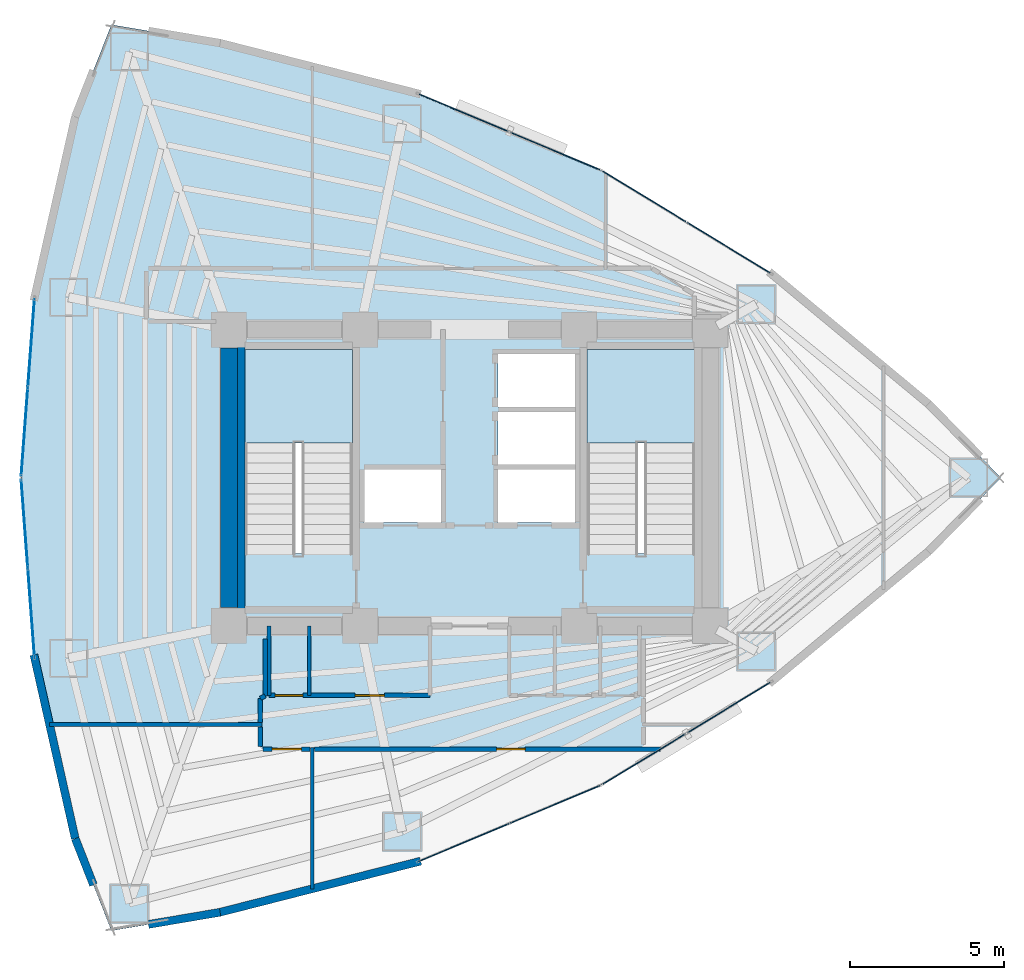
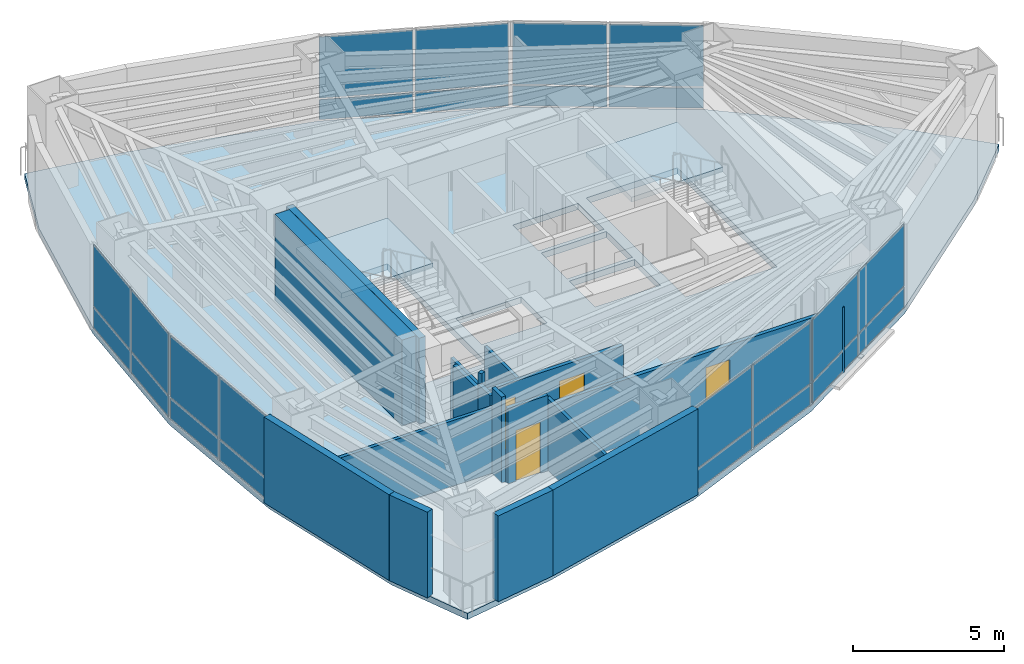
# One storey, part 14 of 18: 24 plates, 17 walls, 4 doors, 3 slabs, 4 openings, 8 elements without a shape of their own.
"""IFC4 building model written with IfcOpenShell, lengths in metres."""

from ifc_helpers import new_model, si_unit, direction, frame, frame_2d, origin, origin_2d, place, context, subcontext, project, spatial, polyline, rectangle, outline, extrude, material, layer, layer_set, type_object, element, fill, aggregate, save


model = new_model("IFC4")

# Units and contexts
model_context = context("Model", 3, precision=1e-05, world=origin(), true_north=direction((0.0, 1.0)))
body_context = subcontext(model_context, "Body", "Model", "MODEL_VIEW")
ifc_project = project(units=[si_unit("LENGTHUNIT", "METRE"), si_unit("AREAUNIT", "SQUARE_METRE"), si_unit("VOLUMEUNIT", "CUBIC_METRE"), si_unit("PLANEANGLEUNIT", "RADIAN"), si_unit("MASSUNIT", "GRAM", prefix="KILO")], contexts=[model_context])

# Site, building, storey
site_placement = place(None, origin())
site = spatial("IfcSite", under=ifc_project, at=site_placement, CompositionType="ELEMENT")
building_placement = place(site_placement, origin())
building = spatial("IfcBuilding", under=site, at=building_placement, Name="Menara Vayukalpa", CompositionType="ELEMENT")
storey_placement = place(building_placement, frame((0.0, 0.0, 126.300048828125)))
storey = spatial("IfcBuildingStorey", under=building, at=storey_placement, Name="L31", CompositionType="ELEMENT", Elevation=126.300048828125)

# Curtain wall, plates
ifc_material_1 = material(Name="Anodised Terracotta Aluminium Alloy 6063-T6", Category="masonry")
ifc_layer_1 = layer(ifc_material_1, 0.14990234375)
ifc_layer_set_1 = layer_set([ifc_layer_1], Name="Anodised Terracotta Aluminium Alloy 6063-T6")
curtain_wall_type = type_object("IfcCurtainWallType", Name="CW-CW3", PredefinedType="USERDEFINED", material=ifc_layer_set_1)
curtain_wall_1_placement = place(storey_placement, origin())
curtain_wall_1 = element("IfcCurtainWall", 1, at=curtain_wall_1_placement, inside=storey, type_object=curtain_wall_type, Name="L31 Mid Rise Terracotta Ribbon Curtain Wall CW3 04", ObjectType="UNITISED", PredefinedType="USERDEFINED")
ifc_material_2 = material(Name="Low-E Double Glazing", Category="glass")
ifc_layer_2 = layer(ifc_material_2, 0.030029296875)
ifc_layer_set_2 = layer_set([ifc_layer_2], Name="Low-E Double Glazing")
plate_type = type_object("IfcPlateType", Name="CWP-CW3", PredefinedType="CURTAIN_PANEL", material=ifc_layer_set_2)
plate_1_placement = place(storey_placement, frame((33.9921875, 29.44873046875, 0.06494140625), z_axis=(0.0, 0.0, 1.0), x_axis=(-0.854663123674, 0.519182959112, 0.0)))
plate_1 = element("IfcPlate", 2, at=plate_1_placement, type_object=plate_type, Name="CW3 panel 1.1", PredefinedType="CURTAIN_PANEL", context=body_context, shape_type="SweptSolid", body=[
    extrude(rectangle(XDim=3.1318359375, YDim=0.030029296875, at=origin_2d()), origin(), (0.0, 0.0, 1.0), 0.802490234375),
])
plate_2_placement = place(storey_placement, frame((33.9921875, 29.44873046875, 0.9326171875), z_axis=(0.0, 0.0, 1.0), x_axis=(-0.854663123674, 0.519182959112, 0.0)))
plate_2 = element("IfcPlate", 3, at=plate_2_placement, type_object=plate_type, Name="CW3 panel 1.2", PredefinedType="CURTAIN_PANEL", context=body_context, shape_type="SweptSolid", body=[
    extrude(rectangle(XDim=3.1318359375, YDim=0.030029296875, at=origin_2d()), origin(), (0.0, 0.0, 1.0), 2.472412109375),
])
plate_3_placement = place(storey_placement, frame((31.259765625, 31.1083984375, 0.06494140625), z_axis=(0.0, 0.0, 1.0), x_axis=(-0.854663123674, 0.519182959112, 0.0)))
plate_3 = element("IfcPlate", 4, at=plate_3_placement, type_object=plate_type, Name="CW3 panel 2.1", PredefinedType="CURTAIN_PANEL", context=body_context, shape_type="SweptSolid", body=[
    extrude(rectangle(XDim=3.1318359375, YDim=0.030029296875, at=origin_2d()), origin(), (0.0, 0.0, 1.0), 0.802490234375),
])
plate_4_placement = place(storey_placement, frame((31.259765625, 31.1083984375, 0.9326171875), z_axis=(0.0, 0.0, 1.0), x_axis=(-0.854663123674, 0.519182959112, 0.0)))
plate_4 = element("IfcPlate", 5, at=plate_4_placement, type_object=plate_type, Name="CW3 panel 2.2", PredefinedType="CURTAIN_PANEL", context=body_context, shape_type="SweptSolid", body=[
    extrude(rectangle(XDim=3.1318359375, YDim=0.030029296875, at=origin_2d()), origin(), (0.0, 0.0, 1.0), 2.472412109375),
])
aggregate(curtain_wall_1, [plate_1, plate_2, plate_3, plate_4])

curtain_wall_2_placement = place(storey_placement, origin())
curtain_wall_2 = element("IfcCurtainWall", 6, at=curtain_wall_2_placement, inside=storey, type_object=curtain_wall_type, Name="L31 Mid Rise Terracotta Ribbon Curtain Wall CW3 05", ObjectType="UNITISED", PredefinedType="USERDEFINED")
plate_5_placement = place(storey_placement, frame((28.361328125, 32.58447265625, 0.06494140625), z_axis=(0.0, 0.0, 1.0), x_axis=(-0.922543300632, 0.38589358437, 0.0)))
plate_5 = element("IfcPlate", 7, at=plate_5_placement, type_object=plate_type, Name="CW3 panel 1.1", PredefinedType="CURTAIN_PANEL", context=body_context, shape_type="SweptSolid", body=[
    extrude(rectangle(XDim=3.1318359375, YDim=0.030029296875, at=origin_2d()), origin(), (0.0, 0.0, 1.0), 0.802490234375),
])
plate_6_placement = place(storey_placement, frame((28.361328125, 32.58447265625, 0.9326171875), z_axis=(0.0, 0.0, 1.0), x_axis=(-0.922543300632, 0.38589358437, 0.0)))
plate_6 = element("IfcPlate", 8, at=plate_6_placement, type_object=plate_type, Name="CW3 panel 1.2", PredefinedType="CURTAIN_PANEL", context=body_context, shape_type="SweptSolid", body=[
    extrude(rectangle(XDim=3.1318359375, YDim=0.030029296875, at=origin_2d()), origin(), (0.0, 0.0, 1.0), 2.472412109375),
])
plate_7_placement = place(storey_placement, frame((25.412109375, 33.818115234375, 0.06494140625), z_axis=(0.0, 0.0, 1.0), x_axis=(-0.922543300632, 0.38589358437, 0.0)))
plate_7 = element("IfcPlate", 9, at=plate_7_placement, type_object=plate_type, Name="CW3 panel 2.1", PredefinedType="CURTAIN_PANEL", context=body_context, shape_type="SweptSolid", body=[
    extrude(rectangle(XDim=3.1318359375, YDim=0.030029296875, at=origin_2d()), origin(), (0.0, 0.0, 1.0), 0.802490234375),
])
plate_8_placement = place(storey_placement, frame((25.412109375, 33.818115234375, 0.9326171875), z_axis=(0.0, 0.0, 1.0), x_axis=(-0.922543300632, 0.38589358437, 0.0)))
plate_8 = element("IfcPlate", 10, at=plate_8_placement, type_object=plate_type, Name="CW3 panel 2.2", PredefinedType="CURTAIN_PANEL", context=body_context, shape_type="SweptSolid", body=[
    extrude(rectangle(XDim=3.1318359375, YDim=0.030029296875, at=origin_2d()), origin(), (0.0, 0.0, 1.0), 2.472412109375),
])
aggregate(curtain_wall_2, [plate_5, plate_6, plate_7, plate_8])

curtain_wall_3_placement = place(storey_placement, origin())
curtain_wall_3 = element("IfcCurtainWall", 11, at=curtain_wall_3_placement, inside=storey, type_object=curtain_wall_type, Name="L31 Mid Rise Terracotta Ribbon Curtain Wall CW3 10", ObjectType="UNITISED", PredefinedType="USERDEFINED")
plate_9_placement = place(storey_placement, frame((11.395751953125, 26.3681640625, 0.06494140625), z_axis=(0.0, 0.0, 1.0), x_axis=(-0.07478528334, -0.997199659745, 0.0)))
plate_9 = element("IfcPlate", 12, at=plate_9_placement, type_object=plate_type, Name="CW3 panel 1.1", PredefinedType="CURTAIN_PANEL", context=body_context, shape_type="SweptSolid", body=[
    extrude(rectangle(XDim=2.83349609375, YDim=0.030029296875, at=origin_2d()), origin(), (0.0, 0.0, 1.0), 0.802490234375),
])
plate_10_placement = place(storey_placement, frame((11.395751953125, 26.3681640625, 0.9326171875), z_axis=(0.0, 0.0, 1.0), x_axis=(-0.07478528334, -0.997199659745, 0.0)))
plate_10 = element("IfcPlate", 13, at=plate_10_placement, type_object=plate_type, Name="CW3 panel 1.2", PredefinedType="CURTAIN_PANEL", context=body_context, shape_type="SweptSolid", body=[
    extrude(rectangle(XDim=2.83349609375, YDim=0.030029296875, at=origin_2d()), origin(), (0.0, 0.0, 1.0), 2.472412109375),
])
plate_11_placement = place(storey_placement, frame((11.178955078125, 23.4775390625, 0.06494140625), z_axis=(0.0, 0.0, 1.0), x_axis=(-0.07478528334, -0.997199659745, 0.0)))
plate_11 = element("IfcPlate", 14, at=plate_11_placement, type_object=plate_type, Name="CW3 panel 2.1", PredefinedType="CURTAIN_PANEL", context=body_context, shape_type="SweptSolid", body=[
    extrude(rectangle(XDim=2.83349609375, YDim=0.030029296875, at=origin_2d()), origin(), (0.0, 0.0, 1.0), 0.802490234375),
])
plate_12_placement = place(storey_placement, frame((11.178955078125, 23.4775390625, 0.9326171875), z_axis=(0.0, 0.0, 1.0), x_axis=(-0.07478528334, -0.997199659745, 0.0)))
plate_12 = element("IfcPlate", 15, at=plate_12_placement, type_object=plate_type, Name="CW3 panel 2.2", PredefinedType="CURTAIN_PANEL", context=body_context, shape_type="SweptSolid", body=[
    extrude(rectangle(XDim=2.83349609375, YDim=0.030029296875, at=origin_2d()), origin(), (0.0, 0.0, 1.0), 2.472412109375),
])
aggregate(curtain_wall_3, [plate_9, plate_10, plate_11, plate_12])

curtain_wall_4_placement = place(storey_placement, origin())
curtain_wall_4 = element("IfcCurtainWall", 16, at=curtain_wall_4_placement, inside=storey, type_object=curtain_wall_type, Name="L31 Mid Rise Terracotta Ribbon Curtain Wall CW3 11", ObjectType="UNITISED", PredefinedType="USERDEFINED")
plate_13_placement = place(storey_placement, frame((11.178955078125, 20.5224609375, 0.06494140625), z_axis=(0.0, 0.0, 1.0), x_axis=(0.07478528334, -0.997199659745, 0.0)))
plate_13 = element("IfcPlate", 17, at=plate_13_placement, type_object=plate_type, Name="CW3 panel 1.1", PredefinedType="CURTAIN_PANEL", context=body_context, shape_type="SweptSolid", body=[
    extrude(rectangle(XDim=2.83349609375, YDim=0.030029296875, at=origin_2d()), origin(), (0.0, 0.0, 1.0), 0.802490234375),
])
plate_14_placement = place(storey_placement, frame((11.178955078125, 20.5224609375, 0.9326171875), z_axis=(0.0, 0.0, 1.0), x_axis=(0.07478528334, -0.997199659745, 0.0)))
plate_14 = element("IfcPlate", 18, at=plate_14_placement, type_object=plate_type, Name="CW3 panel 1.2", PredefinedType="CURTAIN_PANEL", context=body_context, shape_type="SweptSolid", body=[
    extrude(rectangle(XDim=2.83349609375, YDim=0.030029296875, at=origin_2d()), origin(), (0.0, 0.0, 1.0), 2.472412109375),
])
plate_15_placement = place(storey_placement, frame((11.395751953125, 17.6318359375, 0.06494140625), z_axis=(0.0, 0.0, 1.0), x_axis=(0.07478528334, -0.997199659745, 0.0)))
plate_15 = element("IfcPlate", 19, at=plate_15_placement, type_object=plate_type, Name="CW3 panel 2.1", PredefinedType="CURTAIN_PANEL", context=body_context, shape_type="SweptSolid", body=[
    extrude(rectangle(XDim=2.83349609375, YDim=0.030029296875, at=origin_2d()), origin(), (0.0, 0.0, 1.0), 0.802490234375),
])
plate_16_placement = place(storey_placement, frame((11.395751953125, 17.6318359375, 0.9326171875), z_axis=(0.0, 0.0, 1.0), x_axis=(0.07478528334, -0.997199659745, 0.0)))
plate_16 = element("IfcPlate", 20, at=plate_16_placement, type_object=plate_type, Name="CW3 panel 2.2", PredefinedType="CURTAIN_PANEL", context=body_context, shape_type="SweptSolid", body=[
    extrude(rectangle(XDim=2.83349609375, YDim=0.030029296875, at=origin_2d()), origin(), (0.0, 0.0, 1.0), 2.472412109375),
])
aggregate(curtain_wall_4, [plate_13, plate_14, plate_15, plate_16])

curtain_wall_5_placement = place(storey_placement, origin())
curtain_wall_5 = element("IfcCurtainWall", 21, at=curtain_wall_5_placement, inside=storey, type_object=curtain_wall_type, Name="L31 Mid Rise Terracotta Ribbon Curtain Wall CW3 16", ObjectType="UNITISED", PredefinedType="USERDEFINED")
plate_17_placement = place(storey_placement, frame((25.412109375, 10.181884765625, 0.06494140625), z_axis=(0.0, 0.0, 1.0), x_axis=(0.922543300632, 0.38589358437, 0.0)))
plate_17 = element("IfcPlate", 22, at=plate_17_placement, type_object=plate_type, Name="CW3 panel 1.1", PredefinedType="CURTAIN_PANEL", context=body_context, shape_type="SweptSolid", body=[
    extrude(rectangle(XDim=3.1318359375, YDim=0.030029296875, at=origin_2d()), origin(), (0.0, 0.0, 1.0), 0.802490234375),
])
plate_18_placement = place(storey_placement, frame((25.412109375, 10.181884765625, 0.9326171875), z_axis=(0.0, 0.0, 1.0), x_axis=(0.922543300632, 0.38589358437, 0.0)))
plate_18 = element("IfcPlate", 23, at=plate_18_placement, type_object=plate_type, Name="CW3 panel 1.2", PredefinedType="CURTAIN_PANEL", context=body_context, shape_type="SweptSolid", body=[
    extrude(rectangle(XDim=3.1318359375, YDim=0.030029296875, at=origin_2d()), origin(), (0.0, 0.0, 1.0), 2.472412109375),
])
plate_19_placement = place(storey_placement, frame((28.361328125, 11.41552734375, 0.06494140625), z_axis=(0.0, 0.0, 1.0), x_axis=(0.922543300632, 0.38589358437, 0.0)))
plate_19 = element("IfcPlate", 24, at=plate_19_placement, type_object=plate_type, Name="CW3 panel 2.1", PredefinedType="CURTAIN_PANEL", context=body_context, shape_type="SweptSolid", body=[
    extrude(rectangle(XDim=3.1318359375, YDim=0.030029296875, at=origin_2d()), origin(), (0.0, 0.0, 1.0), 0.802490234375),
])
plate_20_placement = place(storey_placement, frame((28.361328125, 11.41552734375, 0.9326171875), z_axis=(0.0, 0.0, 1.0), x_axis=(0.922543300632, 0.38589358437, 0.0)))
plate_20 = element("IfcPlate", 25, at=plate_20_placement, type_object=plate_type, Name="CW3 panel 2.2", PredefinedType="CURTAIN_PANEL", context=body_context, shape_type="SweptSolid", body=[
    extrude(rectangle(XDim=3.1318359375, YDim=0.030029296875, at=origin_2d()), origin(), (0.0, 0.0, 1.0), 2.472412109375),
])
aggregate(curtain_wall_5, [plate_17, plate_18, plate_19, plate_20])

curtain_wall_6_placement = place(storey_placement, origin())
curtain_wall_6 = element("IfcCurtainWall", 26, at=curtain_wall_6_placement, inside=storey, type_object=curtain_wall_type, Name="L31 Mid Rise Terracotta Ribbon Curtain Wall CW3 17", ObjectType="UNITISED", PredefinedType="USERDEFINED")
plate_21_placement = place(storey_placement, frame((31.259765625, 12.8916015625, 0.06494140625), z_axis=(0.0, 0.0, 1.0), x_axis=(0.854663123674, 0.519182959112, 0.0)))
plate_21 = element("IfcPlate", 27, at=plate_21_placement, type_object=plate_type, Name="CW3 panel 1.1", PredefinedType="CURTAIN_PANEL", context=body_context, shape_type="SweptSolid", body=[
    extrude(rectangle(XDim=3.1318359375, YDim=0.030029296875, at=origin_2d()), origin(), (0.0, 0.0, 1.0), 0.802490234375),
])
plate_22_placement = place(storey_placement, frame((31.259765625, 12.8916015625, 0.9326171875), z_axis=(0.0, 0.0, 1.0), x_axis=(0.854663123674, 0.519182959112, 0.0)))
plate_22 = element("IfcPlate", 28, at=plate_22_placement, type_object=plate_type, Name="CW3 panel 1.2", PredefinedType="CURTAIN_PANEL", context=body_context, shape_type="SweptSolid", body=[
    extrude(rectangle(XDim=3.1318359375, YDim=0.030029296875, at=origin_2d()), origin(), (0.0, 0.0, 1.0), 2.472412109375),
])
plate_23_placement = place(storey_placement, frame((33.9921875, 14.55126953125, 0.06494140625), z_axis=(0.0, 0.0, 1.0), x_axis=(0.854663123674, 0.519182959112, 0.0)))
plate_23 = element("IfcPlate", 29, at=plate_23_placement, type_object=plate_type, Name="CW3 panel 2.1", PredefinedType="CURTAIN_PANEL", context=body_context, shape_type="SweptSolid", body=[
    extrude(rectangle(XDim=3.1318359375, YDim=0.030029296875, at=origin_2d()), origin(), (0.0, 0.0, 1.0), 0.802490234375),
])
plate_24_placement = place(storey_placement, frame((33.9921875, 14.55126953125, 0.9326171875), z_axis=(0.0, 0.0, 1.0), x_axis=(0.854663123674, 0.519182959112, 0.0)))
plate_24 = element("IfcPlate", 30, at=plate_24_placement, type_object=plate_type, Name="CW3 panel 2.2", PredefinedType="CURTAIN_PANEL", context=body_context, shape_type="SweptSolid", body=[
    extrude(rectangle(XDim=3.1318359375, YDim=0.030029296875, at=origin_2d()), origin(), (0.0, 0.0, 1.0), 2.472412109375),
])
aggregate(curtain_wall_6, [plate_21, plate_22, plate_23, plate_24])

# Slab
ifc_material_3 = material(Name="Concrete C40/50", Category="concrete")
ifc_layer_3 = layer(ifc_material_3, 0.25)
ifc_layer_set_3 = layer_set([ifc_layer_3], Name="Concrete C40/50")
slab_type_1 = type_object("IfcSlabType", Name="SLB-FL250", PredefinedType="FLOOR", material=ifc_layer_set_3)
slab_1_placement = place(storey_placement, frame((0.0, 0.0, -0.25)))
element("IfcSlab", 31, at=slab_1_placement, inside=storey, type_object=slab_type_1, Name="L31 Structural Floor Slab", PredefinedType="FLOOR", context=body_context, shape_type="SweptSolid", body=[
    extrude(outline(polyline([(40.4677734375, 19.6123046875), (42.81201171875, 22.0), (40.4677734375, 24.3876953125), (35.385986328125, 28.601806640625), (29.865966796875, 31.955078125), (23.907470703125, 34.447509765625), (17.510498046875, 36.0791015625), (13.993896484375, 36.676025390625), (12.822021484375, 33.69140625), (11.506591796875, 27.845703125), (11.068115234375, 22.0), (11.506591796875, 16.154296875), (12.822021484375, 10.30859375), (13.993896484375, 7.323974609375), (17.510498046875, 7.9208984375), (23.907470703125, 9.552490234375), (29.865966796875, 12.044921875), (35.385986328125, 15.398193359375), (40.4677734375, 19.6123046875)]), holes=[polyline([(21.800048828125, 19.550048828125), (21.800048828125, 26.14990234375), (18.300048828125, 26.14990234375), (18.300048828125, 19.550048828125), (21.800048828125, 19.550048828125)]), polyline([(32.89990234375, 19.550048828125), (32.89990234375, 26.14990234375), (29.39990234375, 26.14990234375), (29.39990234375, 19.550048828125), (32.89990234375, 19.550048828125)]), polyline([(22.179931640625, 20.550048828125), (24.679931640625, 20.550048828125), (24.679931640625, 22.27001953125), (22.179931640625, 22.27001953125), (22.179931640625, 20.550048828125)]), polyline([(26.52001953125, 20.550048828125), (29.02001953125, 20.550048828125), (29.02001953125, 22.27001953125), (26.52001953125, 22.27001953125), (26.52001953125, 20.550048828125)]), polyline([(26.52001953125, 24.2900390625), (29.02001953125, 24.2900390625), (29.02001953125, 26.010009765625), (26.52001953125, 26.010009765625), (26.52001953125, 24.2900390625)]), polyline([(26.52001953125, 22.419921875), (29.02001953125, 22.419921875), (29.02001953125, 24.139892578125), (26.52001953125, 24.139892578125), (26.52001953125, 22.419921875)])]), origin(), (0.0, 0.0, 1.0), 0.25),
])

# Stair, slab
ifc_material_4 = material(Name="Precast Concrete C40/50", Category="concrete")
stair_type = type_object("IfcStairType", Name="STR-T04", PredefinedType="DOUBLE_RETURN_STAIR", material=ifc_material_4)
stair_1_placement = place(storey_placement, origin())
stair_1 = element("IfcStair", 32, at=stair_1_placement, inside=storey, type_object=stair_type, Name="L31 Core Exit Stair ST-1", PredefinedType="DOUBLE_RETURN_STAIR")
ifc_material_5 = material(Name="Precast Concrete C40/50", Category="concrete")
ifc_layer_4 = layer(ifc_material_5, 0.199951171875)
ifc_layer_set_4 = layer_set([ifc_layer_4], Name="Precast Concrete C40/50")
slab_type_2 = type_object("IfcSlabType", Name="SLB-LND200", PredefinedType="LANDING", material=ifc_layer_set_4)
slab_2_placement = place(storey_placement, frame((0.0, 0.0, 1.659912109375)))
slab_2 = element("IfcSlab", 33, at=slab_2_placement, type_object=slab_type_2, Name="ST-1 landing 1", PredefinedType="LANDING", context=body_context, shape_type="SweptSolid", body=[
    extrude(outline(polyline([(21.800048828125, 23.1298828125), (21.800048828125, 26.14990234375), (18.300048828125, 26.14990234375), (18.300048828125, 23.1298828125), (21.800048828125, 23.1298828125)])), origin(), (0.0, 0.0, 1.0), 0.199951171875),
])
aggregate(stair_1, [slab_2])

stair_2_placement = place(storey_placement, origin())
stair_2 = element("IfcStair", 34, at=stair_2_placement, inside=storey, type_object=stair_type, Name="L31 Core Exit Stair ST-2", PredefinedType="DOUBLE_RETURN_STAIR")
slab_3_placement = place(storey_placement, frame((0.0, 0.0, 1.659912109375)))
slab_3 = element("IfcSlab", 35, at=slab_3_placement, type_object=slab_type_2, Name="ST-2 landing 1", PredefinedType="LANDING", context=body_context, shape_type="SweptSolid", body=[
    extrude(outline(polyline([(32.89990234375, 23.1298828125), (32.89990234375, 26.14990234375), (29.39990234375, 26.14990234375), (29.39990234375, 23.1298828125), (32.89990234375, 23.1298828125)])), origin(), (0.0, 0.0, 1.0), 0.199951171875),
])
aggregate(stair_2, [slab_3])

# Walls
ifc_material_6 = material(Name="Concrete C60/75", Category="concrete")
ifc_layer_5 = layer(ifc_material_6, 0.550048828125)
ifc_layer_set_5 = layer_set([ifc_layer_5], Name="Concrete C60/75")
wall_type_1 = type_object("IfcWallType", Name="WAL-CW550", PredefinedType="SHEAR", material=ifc_layer_set_5)
wall_1_placement = place(storey_placement, frame((17.800048828125, 17.794921875, 0.0), z_axis=(0.0, 0.0, 1.0), x_axis=(0.0, 1.0, 0.0)))
element("IfcWall", 36, at=wall_1_placement, inside=storey, type_object=wall_type_1, Name="L31 Buttressed Core Shear Wall CWW1", PredefinedType="SHEAR", context=body_context, shape_type="SweptSolid", body=[
    extrude(rectangle(XDim=8.41015625, YDim=0.550048828125, at=frame_2d((4.205078125, 0.0))), origin(), (0.0, 0.0, 1.0), 3.469970703125),
])
ifc_material_7 = material(Name="Insulated Precast Concrete C40/50", Category="concrete")
ifc_layer_6 = layer(ifc_material_7, 0.260009765625)
ifc_layer_set_6 = layer_set([ifc_layer_6], Name="Insulated Precast Concrete C40/50")
wall_type_2 = type_object("IfcWallType", Name="WAL-EXT260", PredefinedType="PARTITIONING", material=ifc_layer_set_6)
wall_2_placement = place(storey_placement, frame((12.822021484375, 10.30859375, 0.0), z_axis=(0.0, 0.0, 1.0), x_axis=(-0.219535044336, 0.975604614743, 0.0)))
element("IfcWall", 37, at=wall_2_placement, inside=storey, type_object=wall_type_2, Name="L31 Perimeter Terracotta Pier Wall 12", PredefinedType="PARTITIONING", context=body_context, shape_type="SweptSolid", body=[
    extrude(rectangle(XDim=6.10205078125, YDim=0.260009765625, at=frame_2d((3.051025390625, 0.0))), origin(), (0.0, 0.0, 1.0), 3.469970703125),
])
wall_3_placement = place(storey_placement, frame((13.411865234375, 8.806396484375, 0.0), z_axis=(0.0, 0.0, 1.0), x_axis=(-0.365488551504, 0.930815835018, 0.0)))
element("IfcWall", 38, at=wall_3_placement, inside=storey, type_object=wall_type_2, Name="L31 Perimeter Terracotta Pier Wall 13", PredefinedType="PARTITIONING", context=body_context, shape_type="SweptSolid", body=[
    extrude(rectangle(XDim=1.61376953125, YDim=0.260009765625, at=frame_2d((0.806884765625, 0.0))), origin(), (0.0, 0.0, 1.0), 3.469970703125),
])
wall_4_placement = place(storey_placement, frame((17.516357421875, 7.921875, 0.0), z_axis=(0.0, 0.0, 1.0), x_axis=(-0.985905269947, -0.167304508875, 0.0)))
element("IfcWall", 39, at=wall_4_placement, inside=storey, type_object=wall_type_2, Name="L31 Perimeter Terracotta Pier Wall 14", PredefinedType="PARTITIONING", context=body_context, shape_type="SweptSolid", body=[
    extrude(rectangle(XDim=2.356689453125, YDim=0.260009765625, at=frame_2d((1.17822265625, 0.0))), origin(), (0.0, 0.0, 1.0), 3.469970703125),
])
wall_5_placement = place(storey_placement, frame((24.013916015625, 9.57958984375, 0.0), z_axis=(0.0, 0.0, 1.0), x_axis=(-0.968981437296, -0.247133514876, 0.0)))
element("IfcWall", 40, at=wall_5_placement, inside=storey, type_object=wall_type_2, Name="L31 Perimeter Terracotta Pier Wall 15", PredefinedType="PARTITIONING", context=body_context, shape_type="SweptSolid", body=[
    extrude(rectangle(XDim=6.717529296875, YDim=0.260009765625, at=frame_2d((3.35888671875, 0.0))), origin(), (0.0, 0.0, 1.0), 3.469970703125),
])
ifc_material_8 = material(Name="Acoustic Mineral Stud Partition", Category="masonry")
ifc_layer_7 = layer(ifc_material_8, 0.110107421875)
ifc_layer_set_7 = layer_set([ifc_layer_7], Name="Acoustic Mineral Stud Partition")
wall_type_3 = type_object("IfcWallType", Name="WAL-PT110", PredefinedType="PARTITIONING", material=ifc_layer_set_7)
wall_6_placement = place(storey_placement, frame((20.39990234375, 14.949951171875, 0.0), z_axis=(0.0, 0.0, 1.0), x_axis=(0.0, 1.0, 0.0)))
element("IfcWall", 41, at=wall_6_placement, inside=storey, type_object=wall_type_3, Name="L31 Interior Partition IW-L31-SVCD-02", PredefinedType="PARTITIONING", context=body_context, shape_type="SweptSolid", body=[
    extrude(rectangle(XDim=2.25, YDim=0.110107421875, at=frame_2d((1.125, 0.0))), origin(), (0.0, 0.0, 1.0), 2.599853515625),
])
ifc_material_9 = material(Name="Gypsum Drywall Steel Stud Assembly", Category="steel")
ifc_layer_8 = layer(ifc_material_9, 0.125)
ifc_layer_set_8 = layer_set([ifc_layer_8], Name="Gypsum Drywall Steel Stud Assembly")
wall_type_4 = type_object("IfcWallType", Name="WAL-PT125", PredefinedType="PARTITIONING", material=ifc_layer_set_8)
wall_7_placement = place(storey_placement, frame((19.10009765625, 14.949951171875, 0.0), z_axis=(0.0, 0.0, 1.0), x_axis=(0.0, 1.0, 0.0)))
element("IfcWall", 42, at=wall_7_placement, inside=storey, type_object=wall_type_4, Name="L31 Interior Partition IW-L31-SVCD-01", PredefinedType="PARTITIONING", context=body_context, shape_type="SweptSolid", body=[
    extrude(rectangle(XDim=2.25, YDim=0.125, at=frame_2d((1.125, 0.0))), origin(), (0.0, 0.0, 1.0), 2.599853515625),
])
wall_8_placement = place(storey_placement, frame((20.5, 8.673095703125, 0.0), z_axis=(0.0, 0.0, 1.0), x_axis=(0.0, 1.0, 0.0)))
element("IfcWall", 43, at=wall_8_placement, inside=storey, type_object=wall_type_4, Name="L31 Interior Partition IW-L31-RDIV01", PredefinedType="PARTITIONING", context=body_context, shape_type="SweptSolid", body=[
    extrude(rectangle(XDim=4.5869140625, YDim=0.125, at=frame_2d((2.29345703125, 0.0))), origin(), (0.0, 0.0, 1.0), 2.89990234375),
])
wall_9_placement = place(storey_placement, frame((11.981201171875, 14.0, 0.0), z_axis=(0.0, 0.0, 1.0), x_axis=(1.0, 0.0, 0.0)))
element("IfcWall", 44, at=wall_9_placement, inside=storey, type_object=wall_type_4, Name="L31 Interior Partition IW-L31-RDIV05", PredefinedType="PARTITIONING", context=body_context, shape_type="SweptSolid", body=[
    extrude(rectangle(XDim=6.888916015625, YDim=0.125, at=frame_2d((3.4443359375, 0.0))), origin(), (0.0, 0.0, 1.0), 2.64990234375),
])

# Wall, openings, doors
ifc_material_10 = material(Name="Gypsum Drywall Acoustic Stud Assembly", Category="masonry")
ifc_layer_9 = layer(ifc_material_10, 0.14501953125)
ifc_layer_set_9 = layer_set([ifc_layer_9], Name="Gypsum Drywall Acoustic Stud Assembly")
wall_type_5 = type_object("IfcWallType", Name="WAL-PT150", PredefinedType="PARTITIONING", material=ifc_layer_set_9)
wall_10_placement = place(storey_placement, frame((19.10009765625, 14.949951171875, 0.0), z_axis=(0.0, 0.0, 1.0), x_axis=(1.0, 0.0, 0.0)))
wall_10 = element("IfcWall", 45, at=wall_10_placement, inside=storey, type_object=wall_type_5, Name="L31 Interior Partition IW-L31-SVCS-W", PredefinedType="PARTITIONING", context=body_context, shape_type="SweptSolid", body=[
    extrude(rectangle(XDim=5.219970703125, YDim=0.14501953125, at=frame_2d((2.60986328125, 0.0))), origin(), (0.0, 0.0, 1.0), 2.64990234375),
])
opening_1_placement = place(wall_10_placement, frame((0.199951171875, 0.0, 0.0)))
opening_1 = element("IfcOpeningElement", 46, at=opening_1_placement, cuts=wall_10, Name="Opening ID7", PredefinedType="OPENING", context=body_context, shape_type="SweptSolid", body=[
    extrude(rectangle(XDim=0.89990234375, YDim=2.02001953125, at=frame_2d((0.449951171875, 1.010009765625))), frame((0.0, 0.08251953125, 0.0), z_axis=(0.0, -1.0, 0.0), x_axis=(1.0, 0.0, 0.0)), (0.0, 0.0, 1.0), 0.1650390625),
])
opening_2_placement = place(wall_10_placement, frame((2.784912109375, 0.0, 0.0)))
opening_2 = element("IfcOpeningElement", 47, at=opening_2_placement, cuts=wall_10, Name="Opening ID5", PredefinedType="OPENING", context=body_context, shape_type="SweptSolid", body=[
    extrude(rectangle(XDim=0.949951171875, YDim=2.06005859375, at=frame_2d((0.47509765625, 1.030029296875))), frame((0.0, 0.08251953125, 0.0), z_axis=(0.0, -1.0, 0.0), x_axis=(1.0, 0.0, 0.0)), (0.0, 0.0, 1.0), 0.1650390625),
])
ifc_material_11 = material(Name="Acoustic Hardwood Veneer Timber Door", Category="wood")
door_type_1 = type_object("IfcDoorType", Name="DR-INT95", OperationType="NOTDEFINED", PredefinedType="DOOR", material=ifc_material_11)
door_1_placement = place(opening_2_placement, origin())
door_1 = element("IfcDoor", 48, at=door_1_placement, inside=storey, type_object=door_type_1, Name="L31 Interior Door DR-L31-AWC", OperationType="SINGLE_SWING_LEFT", OverallHeight=2.06005859375, OverallWidth=0.949951171875, PredefinedType="DOOR", context=body_context, shape_type="SweptSolid", body=[
    extrude(rectangle(XDim=0.949951171875, YDim=2.06005859375, at=frame_2d((0.47509765625, 1.030029296875))), frame((0.0, 0.02490234375, 0.0), z_axis=(0.0, -1.0, 0.0), x_axis=(1.0, 0.0, 0.0)), (0.0, 0.0, 1.0), 0.050048828125),
])
fill(opening_2, door_1)
ifc_material_12 = material(Name="Powder-Coated Steel Riser Access Door", Category="steel")
door_type_2 = type_object("IfcDoorType", Name="DR-RISER", OperationType="NOTDEFINED", PredefinedType="DOOR", material=ifc_material_12)
door_2_placement = place(opening_1_placement, origin())
door_2 = element("IfcDoor", 49, at=door_2_placement, inside=storey, type_object=door_type_2, Name="L31 Interior Door DR-L31-ELR", OperationType="SINGLE_SWING_RIGHT", OverallHeight=2.02001953125, OverallWidth=0.89990234375, PredefinedType="DOOR", context=body_context, shape_type="SweptSolid", body=[
    extrude(rectangle(XDim=0.89990234375, YDim=2.02001953125, at=frame_2d((0.449951171875, 1.010009765625))), frame((0.0, 0.02490234375, 0.0), z_axis=(0.0, -1.0, 0.0), x_axis=(1.0, 0.0, 0.0)), (0.0, 0.0, 1.0), 0.050048828125),
])
fill(opening_1, door_2)

# Wall
wall_11_placement = place(storey_placement, frame((18.820068359375, 13.929931640625, 0.0), z_axis=(0.0, 0.0, 1.0), x_axis=(0.0, -1.0, 0.0)))
element("IfcWall", 50, at=wall_11_placement, inside=storey, type_object=wall_type_5, Name="L31 Interior Partition IW-L31-CRM01-1", PredefinedType="PARTITIONING", context=body_context, shape_type="SweptSolid", body=[
    extrude(rectangle(XDim=0.639892578125, YDim=0.14501953125, at=frame_2d((0.31982421875, 0.0))), origin(), (0.0, 0.0, 1.0), 3.469970703125),
])

# Wall, opening, door
wall_12_placement = place(storey_placement, frame((18.89990234375, 13.2099609375, 0.0), z_axis=(0.0, 0.0, 1.0), x_axis=(1.0, 0.0, 0.0)))
wall_12 = element("IfcWall", 51, at=wall_12_placement, inside=storey, type_object=wall_type_5, Name="L31 Interior Partition IW-L31-CRM01-2", PredefinedType="PARTITIONING", context=body_context, shape_type="SweptSolid", body=[
    extrude(rectangle(XDim=1.530029296875, YDim=0.14501953125, at=frame_2d((0.76513671875, 0.0))), origin(), (0.0, 0.0, 1.0), 3.050048828125),
])
opening_3_placement = place(wall_12_placement, frame((0.300048828125, 0.0, 0.0)))
opening_3 = element("IfcOpeningElement", 52, at=opening_3_placement, cuts=wall_12, Name="Opening ID5", PredefinedType="OPENING", context=body_context, shape_type="SweptSolid", body=[
    extrude(rectangle(XDim=0.949951171875, YDim=2.06005859375, at=frame_2d((0.47509765625, 1.030029296875))), frame((0.0, 0.08251953125, 0.0), z_axis=(0.0, -1.0, 0.0), x_axis=(1.0, 0.0, 0.0)), (0.0, 0.0, 1.0), 0.1650390625),
])
door_3_placement = place(opening_3_placement, origin())
door_3 = element("IfcDoor", 53, at=door_3_placement, inside=storey, type_object=door_type_1, Name="L31 Interior Door DR-L31-RM01", OperationType="SINGLE_SWING_LEFT", OverallHeight=2.06005859375, OverallWidth=0.949951171875, PredefinedType="DOOR", context=body_context, shape_type="SweptSolid", body=[
    extrude(rectangle(XDim=0.949951171875, YDim=2.06005859375, at=frame_2d((0.47509765625, 1.030029296875))), frame((0.0, 0.02490234375, 0.0), z_axis=(0.0, -1.0, 0.0), x_axis=(1.0, 0.0, 0.0)), (0.0, 0.0, 1.0), 0.050048828125),
])
fill(opening_3, door_3)

wall_13_placement = place(storey_placement, frame((20.570068359375, 13.2099609375, 0.0), z_axis=(0.0, 0.0, 1.0), x_axis=(1.0, 0.0, 0.0)))
wall_13 = element("IfcWall", 54, at=wall_13_placement, inside=storey, type_object=wall_type_5, Name="L31 Interior Partition IW-L31-CRM02-1", PredefinedType="PARTITIONING", context=body_context, shape_type="SweptSolid", body=[
    extrude(rectangle(XDim=11.2138671875, YDim=0.14501953125, at=frame_2d((5.60693359375, 0.0))), origin(), (0.0, 0.0, 1.0), 2.64990234375),
])
opening_4_placement = place(wall_13_placement, frame((5.904296875, 0.0, 0.0)))
opening_4 = element("IfcOpeningElement", 55, at=opening_4_placement, cuts=wall_13, Name="Opening ID6", PredefinedType="OPENING", context=body_context, shape_type="SweptSolid", body=[
    extrude(rectangle(XDim=0.919921875, YDim=2.050048828125, at=frame_2d((0.4599609375, 1.02490234375))), frame((0.0, 0.08251953125, 0.0), z_axis=(0.0, -1.0, 0.0), x_axis=(1.0, 0.0, 0.0)), (0.0, 0.0, 1.0), 0.1650390625),
])
ifc_material_13 = material(Name="Acoustic Hardwood Veneer Timber Door", Category="wood")
door_type_3 = type_object("IfcDoorType", Name="DR-INT92", OperationType="NOTDEFINED", PredefinedType="DOOR", material=ifc_material_13)
door_4_placement = place(opening_4_placement, origin())
door_4 = element("IfcDoor", 56, at=door_4_placement, inside=storey, type_object=door_type_3, Name="L31 Interior Door DR-L31-RM02", OperationType="SINGLE_SWING_RIGHT", OverallHeight=2.050048828125, OverallWidth=0.919921875, PredefinedType="DOOR", context=body_context, shape_type="SweptSolid", body=[
    extrude(rectangle(XDim=0.919921875, YDim=2.050048828125, at=frame_2d((0.4599609375, 1.02490234375))), frame((0.0, 0.02490234375, 0.0), z_axis=(0.0, -1.0, 0.0), x_axis=(1.0, 0.0, 0.0)), (0.0, 0.0, 1.0), 0.050048828125),
])
fill(opening_4, door_4)

# Walls
wall_14_placement = place(storey_placement, frame((18.97998046875, 16.780029296875, 0.0), z_axis=(0.0, 0.0, 1.0), x_axis=(0.0, -1.0, 0.0)))
element("IfcWall", 57, at=wall_14_placement, inside=storey, type_object=wall_type_5, Name="L31 Interior Partition IW-L31-CRM06-4", PredefinedType="PARTITIONING", context=body_context, shape_type="SweptSolid", body=[
    extrude(rectangle(XDim=1.85009765625, YDim=0.14501953125, at=frame_2d((0.925048828125, 0.0))), origin(), (0.0, 0.0, 1.0), 2.599853515625),
])
wall_15_placement = place(storey_placement, frame((18.820068359375, 14.85009765625, 0.0), z_axis=(0.0, 0.0, 1.0), x_axis=(0.0, -1.0, 0.0)))
element("IfcWall", 58, at=wall_15_placement, inside=storey, type_object=wall_type_5, Name="L31 Interior Partition IW-L31-CRM06-5", PredefinedType="PARTITIONING", context=body_context, shape_type="SweptSolid", body=[
    extrude(rectangle(XDim=0.780029296875, YDim=0.14501953125, at=frame_2d((0.39013671875, 0.0))), origin(), (0.0, 0.0, 1.0), 3.050048828125),
])
wall_16_placement = place(storey_placement, frame((18.820068359375, 14.85009765625, 0.0), z_axis=(0.0, 0.0, 1.0), x_axis=(0.89470021502, 0.446667130247, 0.0)))
element("IfcWall", 59, at=wall_16_placement, inside=storey, type_object=wall_type_5, Name="L31 Interior Partition IW-L31-CRM06-5-R0", PredefinedType="PARTITIONING", context=body_context, shape_type="SweptSolid", body=[
    extrude(rectangle(XDim=0.1787109375, YDim=0.14501953125, at=frame_2d((0.08935546875, 0.0))), origin(), (0.0, 0.0, 1.0), 3.469970703125),
])
ifc_material_14 = material(Name="Concrete C50/60", Category="concrete")
ifc_layer_10 = layer(ifc_material_14, 0.25)
ifc_layer_set_10 = layer_set([ifc_layer_10], Name="Concrete C50/60")
wall_type_6 = type_object("IfcWallType", Name="WAL-SW250", PredefinedType="SHEAR", material=ifc_layer_set_10)
wall_17_placement = place(storey_placement, frame((18.2041015625, 17.60009765625, 0.0), z_axis=(0.0, 0.0, 1.0), x_axis=(0.0, 1.0, 0.0)))
element("IfcWall", 60, at=wall_17_placement, inside=storey, type_object=wall_type_6, Name="L31 ST1 Structural Stair Shaft Wall W", PredefinedType="SHEAR", context=body_context, shape_type="SweptSolid", body=[
    extrude(rectangle(XDim=8.7998046875, YDim=0.25, at=frame_2d((4.39990234375, 0.0))), origin(), (0.0, 0.0, 1.0), 3.469970703125),
])

save(model, "model.ifc")
